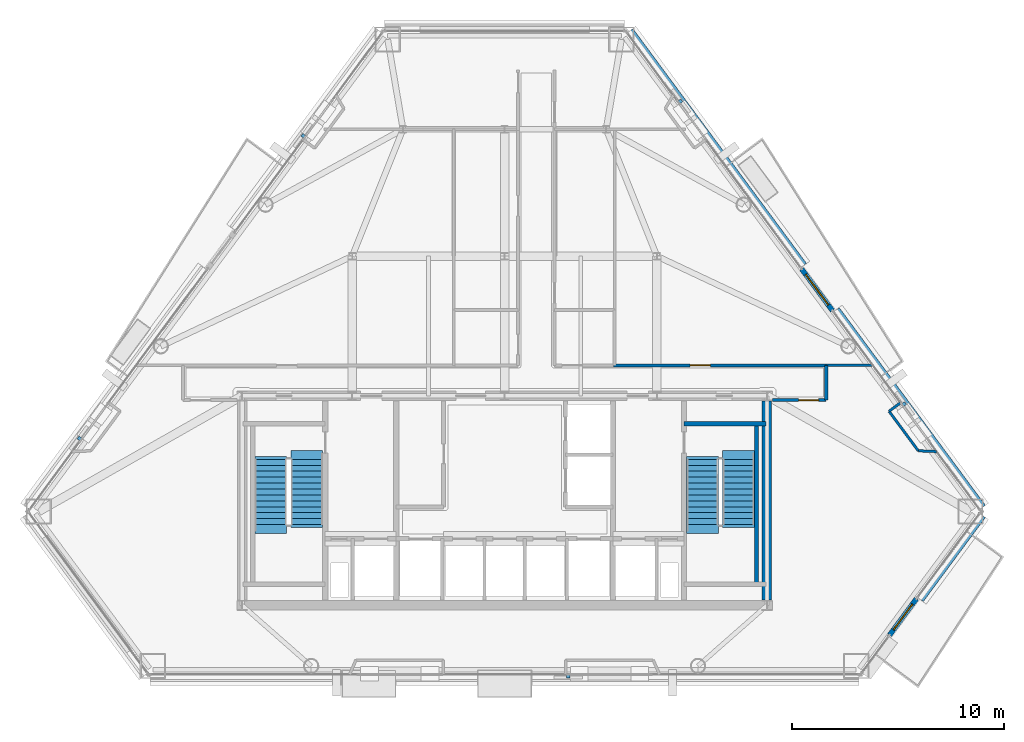
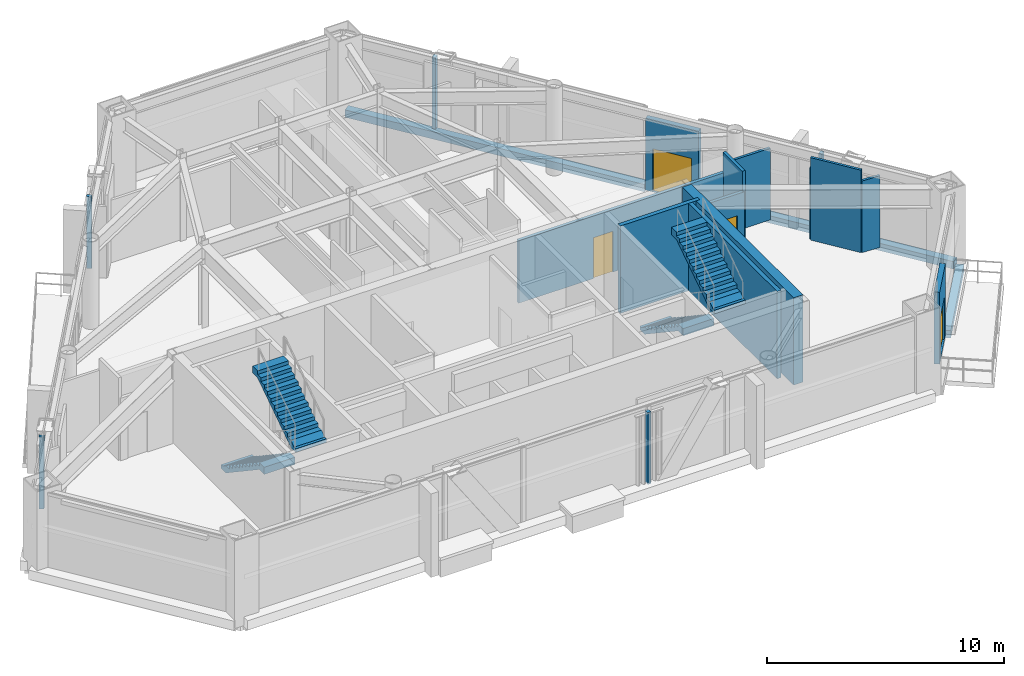
# One storey, part 9 of 11: 15 walls, 5 discrete accessories, 4 doors, 4 stair flights, 4 openings, 2 elements without a shape of their own.
"""IFC4 building model written with IfcOpenShell, lengths in metres."""

from ifc_helpers import new_model, si_unit, direction, frame, frame_2d, origin, origin_2d, place, context, subcontext, project, spatial, polyline, rectangle, outline, extrude, source, transform, mapped, material, layer, layer_set, type_object, type_shapes, element, fill, aggregate, save


model = new_model("IFC4")

# Units and contexts
model_context = context("Model", 3, precision=1e-05, world=origin(), true_north=direction((0.0, 1.0)))
body_context = subcontext(model_context, "Body", "Model", "MODEL_VIEW")
ifc_project = project(units=[si_unit("LENGTHUNIT", "METRE"), si_unit("AREAUNIT", "SQUARE_METRE"), si_unit("VOLUMEUNIT", "CUBIC_METRE"), si_unit("PLANEANGLEUNIT", "RADIAN"), si_unit("MASSUNIT", "GRAM", prefix="KILO")], contexts=[model_context])

# Site, building, storey
site_placement = place(None, origin())
site = spatial("IfcSite", under=ifc_project, at=site_placement, CompositionType="ELEMENT")
building_placement = place(site_placement, origin())
building = spatial("IfcBuilding", under=site, at=building_placement, Name="Talgorran Terracotta Tower", CompositionType="ELEMENT")
storey_placement = place(building_placement, frame((0.0, 0.0, 117.60009765625)))
storey = spatial("IfcBuildingStorey", under=building, at=storey_placement, Name="L30", CompositionType="ELEMENT", Elevation=117.60009765625)

# Wall, opening, door
ifc_material_1 = material(Name="Concrete C40/50", Category="concrete")
ifc_layer_1 = layer(ifc_material_1, 0.239990234375, Name="WT_BALCONY_SPAND")
ifc_layer_set_1 = layer_set([ifc_layer_1], Name="Concrete C40/50")
wall_type_1 = type_object("IfcWallType", Name="WT_BALCONY_SPAND", PredefinedType="STANDARD", material=ifc_layer_set_1)
wall_1_placement = place(storey_placement, frame((15.492919921875, -0.166259765625, -0.01513671875), z_axis=(0.0, 0.0, 1.0), x_axis=(-0.594655490218, 0.803980626603, 0.0)))
wall_1 = element("IfcWall", 1, at=wall_1_placement, inside=storey, type_object=wall_type_1, Name="WL-L30-BALP-BAL-NE", PredefinedType="STANDARD", context=body_context, shape_type="SweptSolid", body=[
    extrude(rectangle(XDim=2.43994140625, YDim=0.239990234375, at=frame_2d((1.219970703125, 0.0))), origin(), (0.0, 0.0, 1.0), 3.70703125),
])
opening_1_placement = place(wall_1_placement, frame((0.320068359375, 0.0, 0.014892578125)))
opening_1 = element("IfcOpeningElement", 2, at=opening_1_placement, cuts=wall_1, Name="Opening D-BAL-L30-1", PredefinedType="OPENING", context=body_context, shape_type="SweptSolid", body=[
    extrude(rectangle(XDim=1.806048828125, YDim=2.203951171875, at=frame_2d((0.89990234375, 1.10205078125))), frame((0.0, 0.1298828125, 0.0), z_axis=(0.0, -1.0, 0.0), x_axis=(1.0, 0.0, 0.0)), (0.0, 0.0, 1.0), 0.260009765625),
])
ifc_material_2 = material(Name="Thermally Broken Aluminium", Category="aluminium")
door_type_1 = type_object("IfcDoorType", Name="DT_BALC_1800", OperationType="SLIDING_TO_LEFT", PredefinedType="DOOR", material=ifc_material_2)
door_1_placement = place(opening_1_placement, origin())
door_1 = element("IfcDoor", 3, at=door_1_placement, inside=storey, type_object=door_type_1, Name="DR-L30-BAL-BAL-NE", OperationType="SLIDING_TO_LEFT", OverallHeight=2.199951171875, OverallWidth=1.800048828125, PredefinedType="DOOR", context=body_context, shape_type="SweptSolid", body=[
    extrude(rectangle(XDim=1.800048828125, YDim=2.199951171875, at=frame_2d((0.89990234375, 1.10009765625))), frame((0.0, 0.02490234375, 0.0), z_axis=(0.0, -1.0, 0.0), x_axis=(1.0, 0.0, 0.0)), (0.0, 0.0, 1.0), 0.050048828125),
])
fill(opening_1, door_1)

wall_2_placement = place(storey_placement, frame((18.19189453125, -15.508544921875, -0.01513671875), z_axis=(0.0, 0.0, 1.0), x_axis=(0.594638042479, 0.80399353134, 0.0)))
wall_2 = element("IfcWall", 4, at=wall_2_placement, inside=storey, type_object=wall_type_1, Name="WL-L30-BALP-BAL-SE", PredefinedType="STANDARD", context=body_context, shape_type="SweptSolid", body=[
    extrude(rectangle(XDim=2.139892578125, YDim=0.239990234375, at=frame_2d((1.06982421875, 0.0))), origin(), (0.0, 0.0, 1.0), 3.70703125),
])
opening_2_placement = place(wall_2_placement, frame((0.320068359375, 0.0, 0.014892578125)))
opening_2 = element("IfcOpeningElement", 5, at=opening_2_placement, cuts=wall_2, Name="Opening D-BAL-L30-3", PredefinedType="OPENING", context=body_context, shape_type="SweptSolid", body=[
    extrude(rectangle(XDim=1.506, YDim=2.203951171875, at=frame_2d((0.75, 1.10205078125))), frame((0.0, 0.1298828125, 0.0), z_axis=(0.0, -1.0, 0.0), x_axis=(1.0, 0.0, 0.0)), (0.0, 0.0, 1.0), 0.260009765625),
])
door_type_2 = type_object("IfcDoorType", Name="DT_BALC_1500", OperationType="SLIDING_TO_RIGHT", PredefinedType="DOOR", material=ifc_material_2)
door_2_placement = place(opening_2_placement, origin())
door_2 = element("IfcDoor", 6, at=door_2_placement, inside=storey, type_object=door_type_2, Name="DR-L30-BAL-BAL-SE", OperationType="SLIDING_TO_RIGHT", OverallHeight=2.199951171875, OverallWidth=1.5, PredefinedType="DOOR", context=body_context, shape_type="SweptSolid", body=[
    extrude(rectangle(XDim=1.5, YDim=2.199951171875, at=frame_2d((0.75, 1.10009765625))), frame((0.0, 0.02490234375, 0.0), z_axis=(0.0, -1.0, 0.0), x_axis=(1.0, 0.0, 0.0)), (0.0, 0.0, 1.0), 0.050048828125),
])
fill(opening_2, door_2)

# Walls
ifc_material_3 = material(Name="Concrete C50/60", Category="concrete")
ifc_layer_2 = layer(ifc_material_3, 0.199951171875, Name="WT_CORE_200")
ifc_layer_set_2 = layer_set([ifc_layer_2], Name="Concrete C50/60")
wall_type_2 = type_object("IfcWallType", Name="WT_CORE_200", PredefinedType="SOLIDWALL", material=ifc_layer_set_2)
wall_3_placement = place(storey_placement, frame((8.47998046875, -5.52001953125, 0.0), z_axis=(0.0, 0.0, 1.0), x_axis=(1.0, 0.0, 0.0)))
element("IfcWall", 7, at=wall_3_placement, inside=storey, type_object=wall_type_2, Name="WL-L30-CW-ST2-N", PredefinedType="SOLIDWALL", context=body_context, shape_type="SweptSolid", body=[
    extrude(rectangle(XDim=3.8701171875, YDim=0.199951171875, at=frame_2d((1.93505859375, 0.0))), origin(), (0.0, 0.0, 1.0), 4.5),
])
wall_4_placement = place(storey_placement, frame((11.89990234375, -13.10009765625, 0.0), z_axis=(0.0, 0.0, 1.0), x_axis=(0.0, 1.0, 0.0)))
element("IfcWall", 8, at=wall_4_placement, inside=storey, type_object=wall_type_2, Name="WL-L30-CW-ST2-E", PredefinedType="SOLIDWALL", context=body_context, shape_type="SweptSolid", body=[
    extrude(rectangle(XDim=7.580078125, YDim=0.199951171875, at=frame_2d((3.7900390625, 0.0))), origin(), (0.0, 0.0, 1.0), 4.5),
])
ifc_material_4 = material(Name="Concrete C65/80", Category="concrete")
ifc_layer_3 = layer(ifc_material_4, 0.449951171875, Name="WT_CORE_EXT")
ifc_layer_set_3 = layer_set([ifc_layer_3], Name="Concrete C65/80")
wall_type_3 = type_object("IfcWallType", Name="WT_CORE_EXT", PredefinedType="SHEAR", material=ifc_layer_set_3)
wall_5_placement = place(storey_placement, frame((12.39990234375, -13.85009765625, 0.0), z_axis=(0.0, 0.0, 1.0), x_axis=(0.0, 1.0, 0.0)))
element("IfcWall", 9, at=wall_5_placement, inside=storey, type_object=wall_type_3, Name="WL-L30-CW-OUT-E", PredefinedType="SHEAR", context=body_context, shape_type="SweptSolid", body=[
    extrude(rectangle(XDim=9.400146484375, YDim=0.449951171875, at=frame_2d((4.7001953125, 0.0))), origin(), (0.0, 0.0, 1.0), 4.5),
])

# Wall, opening, door
ifc_material_5 = material(Name="Fire-Rated Steel Stud Plasterboard", Category="steel")
ifc_layer_4 = layer(ifc_material_5, 0.14990234375, Name="WT_FIRE_150")
ifc_layer_set_4 = layer_set([ifc_layer_4], Name="Fire-Rated Steel Stud Plasterboard")
wall_type_4 = type_object("IfcWallType", Name="WT_FIRE_150", PredefinedType="PARTITIONING", material=ifc_layer_set_4)
wall_6_placement = place(storey_placement, frame((5.139892578125, -2.760009765625, 0.0), z_axis=(0.0, 0.0, 1.0), x_axis=(1.0, 0.0, 0.0)))
wall_6 = element("IfcWall", 10, at=wall_6_placement, inside=storey, type_object=wall_type_4, Name="WL-L30-W-L30-R11", PredefinedType="PARTITIONING", context=body_context, shape_type="SweptSolid", body=[
    extrude(rectangle(XDim=10.06005859375, YDim=0.14990234375, at=frame_2d((5.030029296875, 0.0))), origin(), (0.0, 0.0, 1.0), 3.224853515625),
])
opening_3_placement = place(wall_6_placement, frame((3.635986328125, 0.0, 0.0)))
opening_3 = element("IfcOpeningElement", 11, at=opening_3_placement, cuts=wall_6, Name="Opening DR-L30-R07", PredefinedType="OPENING", context=body_context, shape_type="SweptSolid", body=[
    extrude(rectangle(XDim=0.955951171875, YDim=2.10409765625, at=frame_2d((0.47509765625, 1.052001953125))), frame((0.0, 0.0849609375, 0.0), z_axis=(0.0, -1.0, 0.0), x_axis=(1.0, 0.0, 0.0)), (0.0, 0.0, 1.0), 0.169921875),
])
ifc_material_6 = material(Name="Fire-Rated Timber Core", Category="wood")
door_type_3 = type_object("IfcDoorType", Name="DT_FIRE_950", OperationType="NOTDEFINED", PredefinedType="DOOR", material=ifc_material_6)
door_3_placement = place(opening_3_placement, origin())
door_3 = element("IfcDoor", 12, at=door_3_placement, inside=storey, type_object=door_type_3, Name="DR-L30-R07", OperationType="SINGLE_SWING_LEFT", OverallHeight=2.10009765625, OverallWidth=0.949951171875, PredefinedType="DOOR", context=body_context, shape_type="SweptSolid", body=[
    extrude(rectangle(XDim=0.949951171875, YDim=2.10009765625, at=frame_2d((0.47509765625, 1.050048828125))), frame((0.0, 0.02490234375, 0.0), z_axis=(0.0, -1.0, 0.0), x_axis=(1.0, 0.0, 0.0)), (0.0, 0.0, 1.0), 0.050048828125),
])
fill(opening_3, door_3)

wall_7_placement = place(storey_placement, frame((12.652099609375, -4.39990234375, 0.0), z_axis=(0.0, 0.0, 1.0), x_axis=(1.0, 0.0, 0.0)))
wall_7 = element("IfcWall", 13, at=wall_7_placement, inside=storey, type_object=wall_type_4, Name="WL-L30-W-L30-R03", PredefinedType="PARTITIONING", context=body_context, shape_type="SweptSolid", body=[
    extrude(rectangle(XDim=2.5478515625, YDim=0.14990234375, at=frame_2d((1.27392578125, 0.0))), origin(), (0.0, 0.0, 1.0), 3.224853515625),
])
opening_4_placement = place(wall_7_placement, frame((1.23974609375, 0.0, 0.0)))
opening_4 = element("IfcOpeningElement", 14, at=opening_4_placement, cuts=wall_7, Name="Opening DR-L30-R02", PredefinedType="OPENING", context=body_context, shape_type="SweptSolid", body=[
    extrude(rectangle(XDim=0.955951171875, YDim=2.10409765625, at=frame_2d((0.47509765625, 1.052001953125))), frame((0.0, 0.0849609375, 0.0), z_axis=(0.0, -1.0, 0.0), x_axis=(1.0, 0.0, 0.0)), (0.0, 0.0, 1.0), 0.169921875),
])
door_4_placement = place(opening_4_placement, origin())
door_4 = element("IfcDoor", 15, at=door_4_placement, inside=storey, type_object=door_type_3, Name="DR-L30-R02", OperationType="SINGLE_SWING_RIGHT", OverallHeight=2.10009765625, OverallWidth=0.949951171875, PredefinedType="DOOR", context=body_context, shape_type="SweptSolid", body=[
    extrude(rectangle(XDim=0.949951171875, YDim=2.10009765625, at=frame_2d((0.47509765625, 1.050048828125))), frame((0.0, 0.02490234375, 0.0), z_axis=(0.0, -1.0, 0.0), x_axis=(1.0, 0.0, 0.0)), (0.0, 0.0, 1.0), 0.050048828125),
])
fill(opening_4, door_4)

# Walls
wall_8_placement = place(storey_placement, frame((15.199951171875, -4.39990234375, 0.0), z_axis=(0.0, 0.0, 1.0), x_axis=(0.0, 1.0, 0.0)))
element("IfcWall", 16, at=wall_8_placement, inside=storey, type_object=wall_type_4, Name="WL-L30-W-L30-R04", PredefinedType="PARTITIONING", context=body_context, shape_type="SweptSolid", body=[
    extrude(rectangle(XDim=1.639892578125, YDim=0.14990234375, at=frame_2d((0.81982421875, 0.0))), origin(), (0.0, 0.0, 1.0), 4.25),
])
ifc_layer_5 = layer(ifc_material_1, 0.219970703125, Name="WT_PARAPET_RC")
ifc_layer_set_5 = layer_set([ifc_layer_5], Name="Concrete C40/50")
wall_type_5 = type_object("IfcWallType", Name="WT_PARAPET_RC", PredefinedType="PARAPET", material=ifc_layer_set_5)
wall_9_placement = place(storey_placement, frame((19.646484375, -13.810791015625, -0.2001953125), z_axis=(0.0, 0.0, 1.0), x_axis=(0.594629525057, 0.803999830802, 0.0)))
element("IfcWall", 17, at=wall_9_placement, inside=storey, type_object=wall_type_5, Name="L30 Striped Portal Precast Cornice F31", PredefinedType="PARAPET", context=body_context, shape_type="SweptSolid", body=[
    extrude(rectangle(XDim=4.921875, YDim=0.360107421875, at=frame_2d((2.4609375, 0.0))), origin(), (0.0, 0.0, 1.0), 0.380126953125),
])
wall_10_placement = place(storey_placement, frame((22.5732421875, -9.47021484375, -0.2001953125), z_axis=(0.0, 0.0, 1.0), x_axis=(-0.594646075154, 0.803987590268, 0.0)))
element("IfcWall", 18, at=wall_10_placement, inside=storey, type_object=wall_type_5, Name="L30 Striped Portal Precast Cornice F40", PredefinedType="PARAPET", context=body_context, shape_type="SweptSolid", body=[
    extrude(rectangle(XDim=11.6005859375, YDim=0.360107421875, at=frame_2d((5.80029296875, 0.0))), origin(), (0.0, 0.0, 1.0), 0.380126953125),
])
wall_11_placement = place(storey_placement, frame((14.1171875, 1.962890625, -0.2001953125), z_axis=(0.0, 0.0, 1.0), x_axis=(-0.594628189486, 0.804000818575, 0.0)))
element("IfcWall", 19, at=wall_11_placement, inside=storey, type_object=wall_type_5, Name="L30 Striped Portal Precast Cornice F41", PredefinedType="PARAPET", context=body_context, shape_type="SweptSolid", body=[
    extrude(rectangle(XDim=13.778076171875, YDim=0.360107421875, at=frame_2d((6.88916015625, 0.0))), origin(), (0.0, 0.0, 1.0), 0.380126953125),
])
ifc_material_7 = material(Name="Insulated Steel Stud Plasterboard", Category="steel")
ifc_layer_6 = layer(ifc_material_7, 0.1201171875, Name="WT_PART_120")
ifc_layer_set_6 = layer_set([ifc_layer_6], Name="Insulated Steel Stud Plasterboard")
wall_type_6 = type_object("IfcWallType", Name="WT_PART_120", PredefinedType="PARTITIONING", material=ifc_layer_set_6)
wall_12_placement = place(storey_placement, frame((19.5498046875, -6.794921875, 0.0), z_axis=(0.0, 0.0, 1.0), x_axis=(-0.594589014846, 0.804029790135, 0.0)))
element("IfcWall", 20, at=wall_12_placement, inside=storey, type_object=wall_type_6, Name="WL-L30-BW-L30-12", PredefinedType="PARTITIONING", context=body_context, shape_type="SweptSolid", body=[
    extrude(rectangle(XDim=2.3232421875, YDim=0.1201171875, at=frame_2d((1.16162109375, 0.0))), origin(), (0.0, 0.0, 1.0), 4.25),
])
wall_13_placement = place(storey_placement, frame((15.199951171875, -2.760009765625, 0.0), z_axis=(0.0, 0.0, 1.0), x_axis=(1.0, 0.0, 0.0)))
element("IfcWall", 21, at=wall_13_placement, inside=storey, type_object=wall_type_6, Name="WL-L30-W-L30-R16", PredefinedType="PARTITIONING", context=body_context, shape_type="SweptSolid", body=[
    extrude(rectangle(XDim=2.21142578125, YDim=0.1201171875, at=frame_2d((1.105712890625, 0.0))), origin(), (0.0, 0.0, 1.0), 3.69189453125),
])
wall_14_placement = place(storey_placement, frame((20.410888671875, -6.83251953125, 0.0), z_axis=(0.0, 0.0, 1.0), x_axis=(-0.999048124627, 0.043621607937, 0.0)))
element("IfcWall", 22, at=wall_14_placement, inside=storey, type_object=wall_type_6, Name="WL-L30-BW-L30-11", PredefinedType="PARTITIONING", context=body_context, shape_type="SweptSolid", body=[
    extrude(rectangle(XDim=0.86181640625, YDim=0.1201171875, at=frame_2d((0.430908203125, 0.0))), origin(), (0.0, 0.0, 1.0), 3.69189453125),
])
wall_15_placement = place(storey_placement, frame((18.16845703125, -4.927001953125, 0.0), z_axis=(0.0, 0.0, 1.0), x_axis=(0.804092805945, 0.59450379261, 0.0)))
element("IfcWall", 23, at=wall_15_placement, inside=storey, type_object=wall_type_6, Name="WL-L30-BW-L30-10", PredefinedType="PARTITIONING", context=body_context, shape_type="SweptSolid", body=[
    extrude(rectangle(XDim=0.669677734375, YDim=0.1201171875, at=frame_2d((0.3349609375, 0.0))), origin(), (0.0, 0.0, 1.0), 3.69189453125),
])

# Stair, stair flights
stair_type = type_object("IfcStairType", Name="ST_FIRE_SCISSOR", PredefinedType="HALF_TURN_STAIR", material=ifc_material_1)
stair_1_placement = place(storey_placement, origin())
stair_1 = element("IfcStair", 24, at=stair_1_placement, inside=storey, type_object=stair_type, Name="L30 West Protected Fire Stair ST-01", PredefinedType="HALF_TURN_STAIR")
ifc_layer_7 = layer(ifc_material_1, 0.179931640625, Name="STF_RC_1500")
ifc_layer_set_7 = layer_set([ifc_layer_7], Name="Concrete C40/50")
stair_flight_type = type_object("IfcStairFlightType", Name="STF_RC_1500", PredefinedType="STRAIGHT", material=ifc_layer_set_7)
stair_flight_1_placement = place(storey_placement, frame((-11.050048828125, -7.199951171875, 0.0), z_axis=(0.0, 0.0, 1.0), x_axis=(0.0, -1.0, 0.0)))
stair_flight_1 = element("IfcStairFlight", 25, at=stair_flight_1_placement, type_object=stair_flight_type, Name="ST-01 flight 1", NumberOfRisers=12, NumberOfTreads=11, PredefinedType="STRAIGHT", RiserHeight=0.1875, TreadLength=0.28, context=body_context, shape_type="SweptSolid", body=[
    extrude(outline(polyline([(-0.139892578125, 0.0), (-0.139892578125, 0.1875), (0.0, 0.1875), (0.280029296875, 0.375), (0.56005859375, 0.375), (0.56005859375, 0.5625), (0.840087890625, 0.5625), (0.840087890625, 0.75), (1.1201171875, 0.75), (1.1201171875, 0.9375), (1.39990234375, 0.9375), (1.39990234375, 1.125), (1.679931640625, 1.125), (1.679931640625, 1.3125), (1.9599609375, 1.3125), (1.9599609375, 1.5), (2.239990234375, 1.5), (2.239990234375, 1.6875), (2.52001953125, 1.6875), (2.52001953125, 1.875), (2.800048828125, 1.875), (2.800048828125, 2.0625), (3.080078125, 2.0625), (3.080078125, 2.25), (3.5, 2.25), (3.5, 1.882080078125), (3.080078125, 1.882080078125), (0.26953125, 0.0), (-0.139892578125, 0.0)])), frame((0.0, 0.75, 0.0), z_axis=(0.0, -1.0, 0.0), x_axis=(1.0, 0.0, 0.0)), (0.0, 0.0, 1.0), 1.5),
])
stair_flight_2_placement = place(storey_placement, frame((-9.35009765625, -10.280029296875, 2.25), z_axis=(0.0, 0.0, 1.0), x_axis=(0.0, 1.0, 0.0)))
stair_flight_2 = element("IfcStairFlight", 26, at=stair_flight_2_placement, type_object=stair_flight_type, Name="ST-01 flight 2", NumberOfRisers=12, NumberOfTreads=11, PredefinedType="STRAIGHT", RiserHeight=0.1875, TreadLength=0.28, context=body_context, shape_type="SweptSolid", body=[
    extrude(outline(polyline([(-0.139892578125, 0.0), (-0.139892578125, 0.1875), (0.0, 0.1875), (0.280029296875, 0.375), (0.56005859375, 0.375), (0.56005859375, 0.5625), (0.840087890625, 0.5625), (0.840087890625, 0.75), (1.1201171875, 0.75), (1.1201171875, 0.9375), (1.39990234375, 0.9375), (1.39990234375, 1.125), (1.679931640625, 1.125), (1.679931640625, 1.3125), (1.9599609375, 1.3125), (1.9599609375, 1.5), (2.239990234375, 1.5), (2.239990234375, 1.6875), (2.52001953125, 1.6875), (2.52001953125, 1.875), (2.800048828125, 1.875), (2.800048828125, 2.0625), (3.080078125, 2.0625), (3.080078125, 2.25), (3.5, 2.25), (3.5, 1.882080078125), (3.080078125, 1.882080078125), (0.26953125, 0.0), (-0.139892578125, 0.0)])), frame((0.0, 0.75, 0.0), z_axis=(0.0, -1.0, 0.0), x_axis=(1.0, 0.0, 0.0)), (0.0, 0.0, 1.0), 1.5),
])
aggregate(stair_1, [stair_flight_1, stair_flight_2])

stair_2_placement = place(storey_placement, origin())
stair_2 = element("IfcStair", 27, at=stair_2_placement, inside=storey, type_object=stair_type, Name="L30 East Protected Fire Stair ST-02", PredefinedType="HALF_TURN_STAIR")
stair_flight_3_placement = place(storey_placement, frame((9.35009765625, -7.199951171875, 0.0), z_axis=(0.0, 0.0, 1.0), x_axis=(0.0, -1.0, 0.0)))
stair_flight_3 = element("IfcStairFlight", 28, at=stair_flight_3_placement, type_object=stair_flight_type, Name="ST-02 flight 1", NumberOfRisers=12, NumberOfTreads=11, PredefinedType="STRAIGHT", RiserHeight=0.1875, TreadLength=0.28, context=body_context, shape_type="SweptSolid", body=[
    extrude(outline(polyline([(-0.139892578125, 0.0), (-0.139892578125, 0.1875), (0.0, 0.1875), (0.280029296875, 0.375), (0.56005859375, 0.375), (0.56005859375, 0.5625), (0.840087890625, 0.5625), (0.840087890625, 0.75), (1.1201171875, 0.75), (1.1201171875, 0.9375), (1.39990234375, 0.9375), (1.39990234375, 1.125), (1.679931640625, 1.125), (1.679931640625, 1.3125), (1.9599609375, 1.3125), (1.9599609375, 1.5), (2.239990234375, 1.5), (2.239990234375, 1.6875), (2.52001953125, 1.6875), (2.52001953125, 1.875), (2.800048828125, 1.875), (2.800048828125, 2.0625), (3.080078125, 2.0625), (3.080078125, 2.25), (3.5, 2.25), (3.5, 1.882080078125), (3.080078125, 1.882080078125), (0.26953125, 0.0), (-0.139892578125, 0.0)])), frame((0.0, 0.75, 0.0), z_axis=(0.0, -1.0, 0.0), x_axis=(1.0, 0.0, 0.0)), (0.0, 0.0, 1.0), 1.5),
])
stair_flight_4_placement = place(storey_placement, frame((11.050048828125, -10.280029296875, 2.25), z_axis=(0.0, 0.0, 1.0), x_axis=(0.0, 1.0, 0.0)))
stair_flight_4 = element("IfcStairFlight", 29, at=stair_flight_4_placement, type_object=stair_flight_type, Name="ST-02 flight 2", NumberOfRisers=12, NumberOfTreads=11, PredefinedType="STRAIGHT", RiserHeight=0.1875, TreadLength=0.28, context=body_context, shape_type="SweptSolid", body=[
    extrude(outline(polyline([(-0.139892578125, 0.0), (-0.139892578125, 0.1875), (0.0, 0.1875), (0.280029296875, 0.375), (0.56005859375, 0.375), (0.56005859375, 0.5625), (0.840087890625, 0.5625), (0.840087890625, 0.75), (1.1201171875, 0.75), (1.1201171875, 0.9375), (1.39990234375, 0.9375), (1.39990234375, 1.125), (1.679931640625, 1.125), (1.679931640625, 1.3125), (1.9599609375, 1.3125), (1.9599609375, 1.5), (2.239990234375, 1.5), (2.239990234375, 1.6875), (2.52001953125, 1.6875), (2.52001953125, 1.875), (2.800048828125, 1.875), (2.800048828125, 2.0625), (3.080078125, 2.0625), (3.080078125, 2.25), (3.5, 2.25), (3.5, 1.882080078125), (3.080078125, 1.882080078125), (0.26953125, 0.0), (-0.139892578125, 0.0)])), frame((0.0, 0.75, 0.0), z_axis=(0.0, -1.0, 0.0), x_axis=(1.0, 0.0, 0.0)), (0.0, 0.0, 1.0), 1.5),
])
aggregate(stair_2, [stair_flight_3, stair_flight_4])

# Discrete accessories
ifc_material_8 = material(Name="Stainless Steel Grade 316", Category="steel")
ifc_layer_8 = layer(ifc_material_8, 0.080078125, Name="ACC_BAGUETTE_BRKT")
ifc_layer_set_8 = layer_set([ifc_layer_8], Name="Stainless Steel Grade 316")
discrete_accessory_type = type_object("IfcDiscreteAccessoryType", Name="ACC_BAGUETTE_BRKT", PredefinedType="BRACKET", material=ifc_layer_set_8)
shared_shape = source(origin(), body_context, "Body", "SweptSolid", [
    extrude(rectangle(XDim=0.159912109375, YDim=0.219970703125, at=origin_2d()), origin(), (0.0, 0.0, 1.0), 3.699951171875),
])
type_shapes(discrete_accessory_type, [shared_shape])
for number, where, z_axis, x_axis, name in (
    (30, (3.015625, -17.433349609375, 0.35009765625), (0.0, 0.0, 1.0), (1.0, 0.0, 0.0), "BRK-L30-F1"),
    (31, (18.859619140625, -4.6005859375, 0.35009765625), (0.0, 0.0, 1.0), (-0.594640382106, 0.803991800934, 0.0), "BRK-L30-F40"),
    (32, (8.28271484375, 9.7001953125, 0.35009765625), (0.0, 0.0, 1.0), (-0.594640382106, 0.803991800934, 0.0), "BRK-L30-F41"),
    (33, (-9.487548828125, 8.0712890625, 0.35009765625), (0.0, 0.0, 1.0), (-0.594640382106, -0.803991800934, 0.0), "BRK-L30-F60"),
    (34, (-20.064453125, -6.2294921875, 0.35009765625), (0.0, 0.0, 1.0), (-0.594640382106, -0.803991800934, 0.0), "BRK-L30-F61"),
):
    element("IfcDiscreteAccessory", number, at=place(storey_placement, frame(where, z_axis=z_axis, x_axis=x_axis)), inside=storey, type_object=discrete_accessory_type, Name=name, PredefinedType="BRACKET", context=body_context, shape_type="MappedRepresentation", body=[
        mapped(shared_shape, transform((0.0, 0.0, 0.0), scale=1.0)),
    ])

save(model, "model.ifc")
